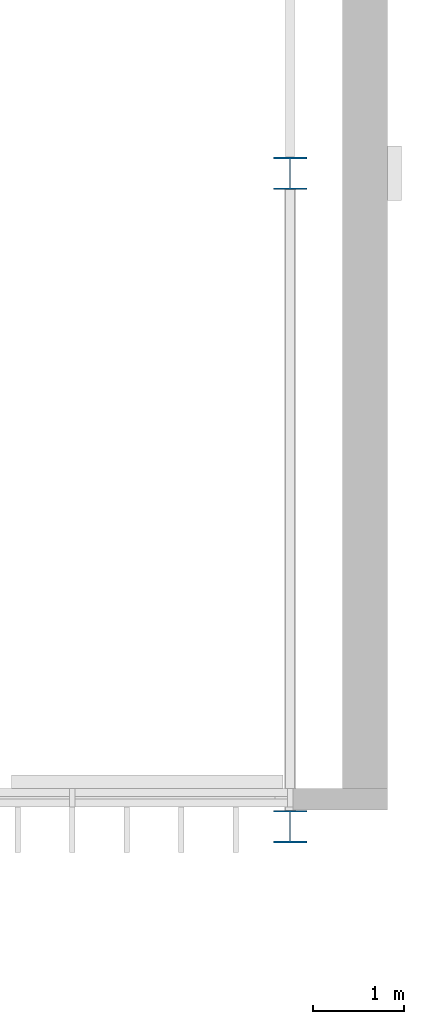
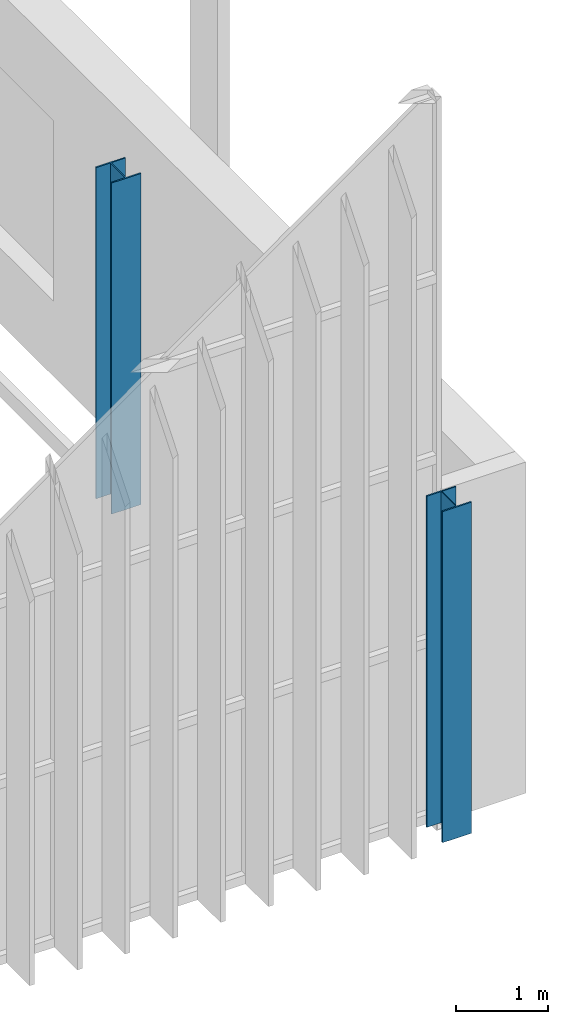
# One storey, part 17 of 169: 2 columns.
"""IFC4 building model written with IfcOpenShell, lengths in metres."""

from ifc_helpers import new_model, si_unit, direction, frame, origin, origin_2d, place, context, subcontext, project, spatial, i_section, extrude, material, material_profile, profile_set, type_object, element, save


model = new_model("IFC4")

# Units and contexts
model_context = context("Model", 3, precision=1e-05, world=origin(), true_north=direction((0.0, 1.0)))
body_context = subcontext(model_context, "Body", "Model", "MODEL_VIEW")
ifc_project = project(units=[si_unit("LENGTHUNIT", "METRE"), si_unit("AREAUNIT", "SQUARE_METRE"), si_unit("VOLUMEUNIT", "CUBIC_METRE"), si_unit("PLANEANGLEUNIT", "RADIAN"), si_unit("MASSUNIT", "GRAM", prefix="KILO")], contexts=[model_context])

# Site, building, storey
site_placement = place(None, origin())
site = spatial("IfcSite", under=ifc_project, at=site_placement, CompositionType="ELEMENT")
building_placement = place(site_placement, origin())
building = spatial("IfcBuilding", under=site, at=building_placement, Name="Verrick Yard Athletic Hall", CompositionType="ELEMENT")
storey_placement = place(building_placement, frame((0.0, 0.0, 4.39990234375)))
storey = spatial("IfcBuildingStorey", under=building, at=storey_placement, Name="L01", CompositionType="ELEMENT", Elevation=4.39990234375)

# Columns
ifc_material = material(Name="Structural steel 350W (CSA G40.21)", Category="steel")
ifc_material_profile = material_profile(ifc_material, i_section(OverallWidth=0.368896484375, OverallDepth=0.35595703125, WebThickness=0.01123046875, FlangeThickness=0.01806640625, at=origin_2d()), Name="W360x134")
ifc_profile_set = profile_set([ifc_material_profile], Name="Structural steel 350W (CSA G40.21)")
column_type = type_object("IfcColumnType", Name="HB column W360x134", PredefinedType="COLUMN", material=ifc_profile_set)
for number, where, z_axis, x_axis, name in (
    (1, (169.60009765625, 72.0, 0.0), (0.0, 0.0, 1.0), (1.0, 0.0, 0.0), "HB-C-HAE1-L01"),
    (2, (169.60009765625, 79.199951171875, 0.0), (0.0, 0.0, 1.0), (1.0, 0.0, 0.0), "HB-C-HAE2-L01"),
):
    element("IfcColumn", number, at=place(storey_placement, frame(where, z_axis=z_axis, x_axis=x_axis)), inside=storey, type_object=column_type, Name=name, PredefinedType="COLUMN", context=body_context, shape_type="SweptSolid", body=[
        extrude(i_section(OverallWidth=0.368896484375, OverallDepth=0.35595703125, WebThickness=0.01123046875, FlangeThickness=0.01806640625, at=origin_2d()), origin(), (0.0, 0.0, 1.0), 4.400146484375),
    ])

save(model, "model.ifc")
